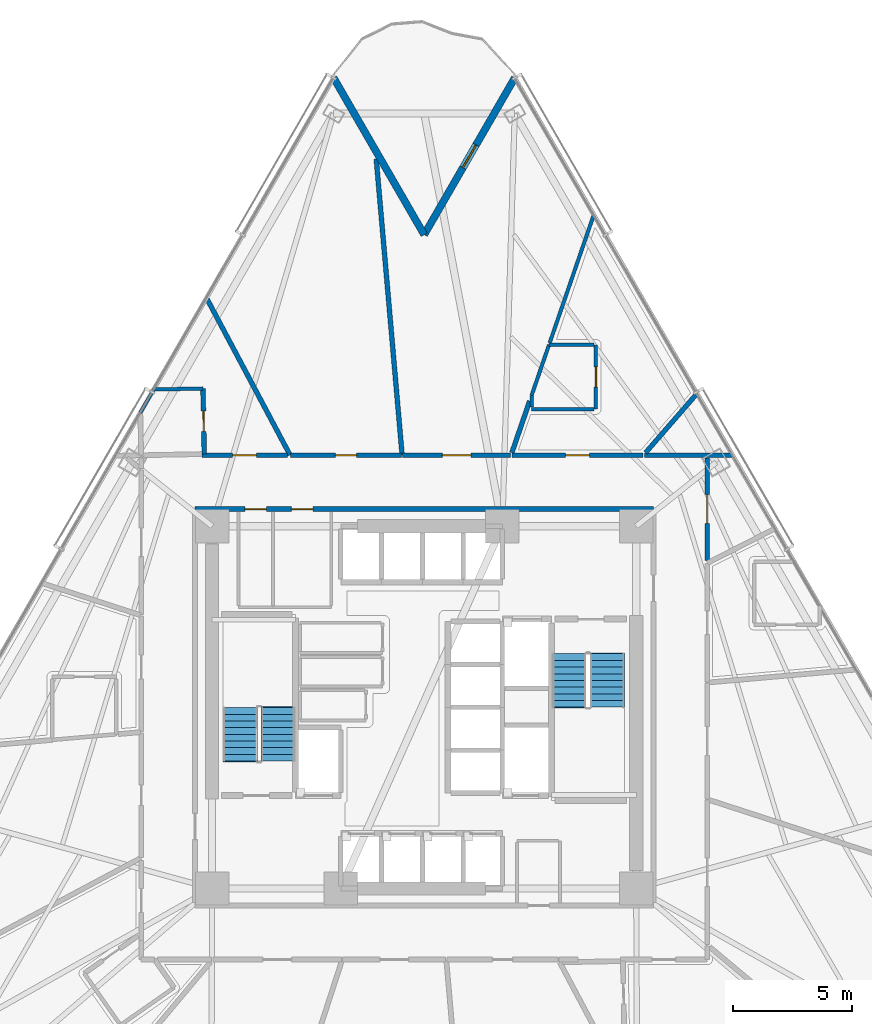
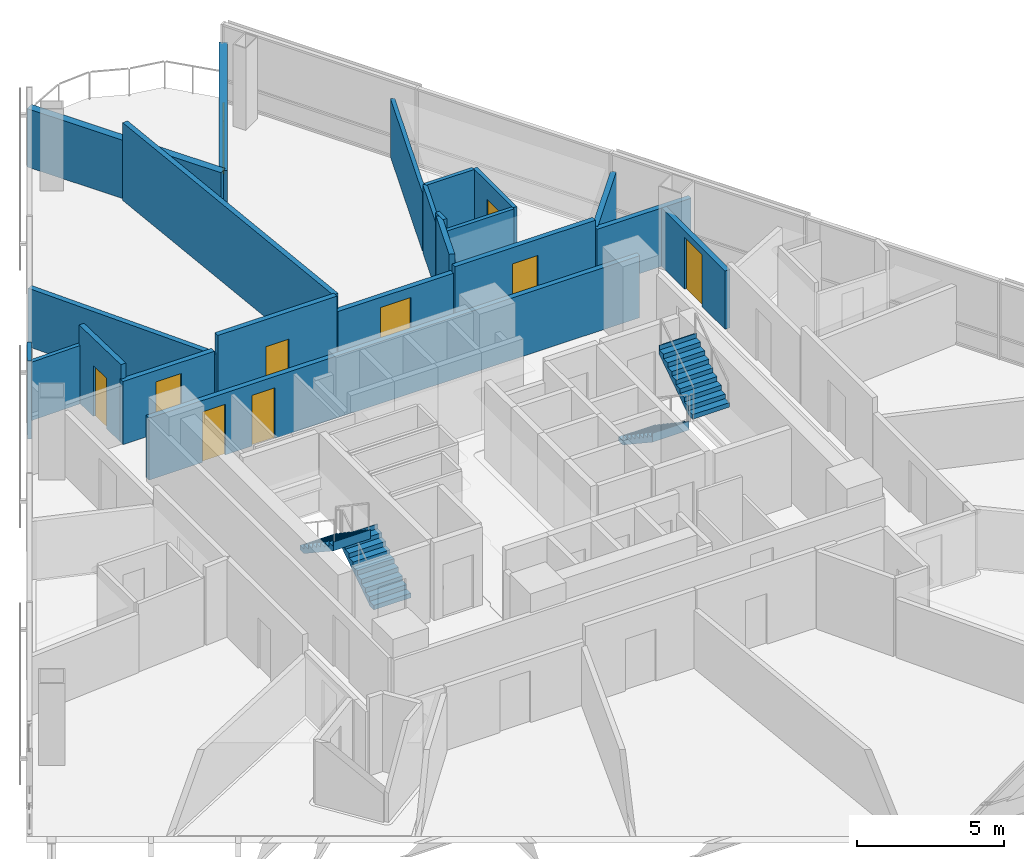
# One storey, part 10 of 18: 22 walls, 10 doors, 4 stair flights, 10 openings, 2 elements without a shape of their own.
"""IFC4 building model written with IfcOpenShell, lengths in metres."""

from ifc_helpers import new_model, si_unit, direction, frame, frame_2d, origin, place, context, subcontext, project, spatial, polyline, rectangle, outline, extrude, material, layer, layer_set, type_object, element, fill, aggregate, save


model = new_model("IFC4")

# Units and contexts
model_context = context("Model", 3, precision=1e-05, world=origin(), true_north=direction((0.0, 1.0)))
body_context = subcontext(model_context, "Body", "Model", "MODEL_VIEW")
ifc_project = project(units=[si_unit("LENGTHUNIT", "METRE"), si_unit("AREAUNIT", "SQUARE_METRE"), si_unit("VOLUMEUNIT", "CUBIC_METRE"), si_unit("PLANEANGLEUNIT", "RADIAN"), si_unit("MASSUNIT", "GRAM", prefix="KILO")], contexts=[model_context])

# Site, building, storey
site_placement = place(None, origin())
site = spatial("IfcSite", under=ifc_project, at=site_placement, CompositionType="ELEMENT")
building_placement = place(site_placement, origin())
building = spatial("IfcBuilding", under=site, at=building_placement, Name="Tharavind Bronze Gate", CompositionType="ELEMENT")
storey_placement = place(building_placement, frame((0.0, 0.0, 38.64990234375)))
storey = spatial("IfcBuildingStorey", under=building, at=storey_placement, Name="L08", CompositionType="ELEMENT", Elevation=38.64990234375)

# Wall, opening, door
ifc_material_1 = material(Name="Concrete C40/50", Category="concrete")
ifc_layer_1 = layer(ifc_material_1, 0.300048828125)
ifc_layer_set_1 = layer_set([ifc_layer_1], Name="Concrete C40/50")
wall_type_1 = type_object("IfcWallType", Name="EXTERIOR SPANDREL WALL 300", PredefinedType="STANDARD", material=ifc_layer_set_1)
wall_1_placement = place(storey_placement, frame((3.800048828125, 26.418212890625, 0.0), z_axis=(0.0, 0.0, 1.0), x_axis=(-0.500005158081, -0.866022425744, 0.0)))
wall_1 = element("IfcWall", 1, at=wall_1_placement, inside=storey, type_object=wall_type_1, Name="L08 notch cheek wall 1A", PredefinedType="STANDARD", context=body_context, shape_type="SweptSolid", body=[
    extrude(rectangle(XDim=7.60009765625, YDim=0.300048828125, at=frame_2d((3.800048828125, 0.0))), origin(), (0.0, 0.0, 1.0), 2.420166015625),
])
opening_1_placement = place(wall_1_placement, frame((3.25, 0.0, 0.0)))
opening_1 = element("IfcOpeningElement", 2, at=opening_1_placement, cuts=wall_1, Name="Opening ED04", PredefinedType="OPENING", context=body_context, shape_type="SweptSolid", body=[
    extrude(rectangle(XDim=1.10009765625, YDim=2.199951171875, at=frame_2d((0.550048828125, 1.10009765625))), frame((0.0, 0.15990234375, 0.0), z_axis=(0.0, -1.0, 0.0), x_axis=(1.0, 0.0, 0.0)), (0.0, 0.0, 1.0), 0.320048828125),
])
ifc_material_2 = material(Name="Bronze Aluminium & Toughened Glass", Category="aluminium")
door_type_1 = type_object("IfcDoorType", Name="TREE BALCONY ACCESS DOOR 1100X2200", OperationType="SINGLE_SWING_LEFT", PredefinedType="DOOR", material=ifc_material_2)
door_1_placement = place(opening_1_placement, origin())
door_1 = element("IfcDoor", 3, at=door_1_placement, inside=storey, type_object=door_type_1, Name="L08 tree balcony access door", OperationType="SINGLE_SWING_LEFT", OverallHeight=2.199951171875, OverallWidth=1.10009765625, PredefinedType="DOOR", context=body_context, shape_type="SweptSolid", body=[
    extrude(rectangle(XDim=1.10009765625, YDim=2.199951171875, at=frame_2d((0.550048828125, 1.10009765625))), frame((0.0, 0.02490234375, 0.0), z_axis=(0.0, -1.0, 0.0), x_axis=(1.0, 0.0, 0.0)), (0.0, 0.0, 1.0), 0.050048828125),
])
fill(opening_1, door_1)

# Wall
wall_2_placement = place(storey_placement, frame((0.0, 19.83642578125, 0.0), z_axis=(0.0, 0.0, 1.0), x_axis=(-0.500005158081, 0.866022425744, 0.0)))
element("IfcWall", 4, at=wall_2_placement, inside=storey, type_object=wall_type_1, Name="L08 notch cheek wall 1B", PredefinedType="STANDARD", context=body_context, shape_type="SweptSolid", body=[
    extrude(rectangle(XDim=7.60009765625, YDim=0.300048828125, at=frame_2d((3.800048828125, 0.0))), origin(), (0.0, 0.0, 1.0), 2.420166015625),
])

# Wall, openings, doors
ifc_material_3 = material(Name="Aerated Concrete Block", Category="concrete")
ifc_layer_2 = layer(ifc_material_3, 0.199951171875)
ifc_layer_set_2 = layer_set([ifc_layer_2], Name="Aerated Concrete Block")
wall_type_2 = type_object("IfcWallType", Name="FIRE RATED PARTITION 200", PredefinedType="PARTITIONING", material=ifc_layer_set_2)
wall_3_placement = place(storey_placement, frame((9.6201171875, 8.320068359375, 0.0), z_axis=(0.0, 0.0, 1.0), x_axis=(-1.0, 0.0, 0.0)))
wall_3 = element("IfcWall", 5, at=wall_3_placement, inside=storey, type_object=wall_type_2, Name="L08 north core corridor wall", PredefinedType="PARTITIONING", context=body_context, shape_type="SweptSolid", body=[
    extrude(rectangle(XDim=19.240234375, YDim=0.199951171875, at=frame_2d((9.6201171875, 0.0))), origin(), (0.0, 0.0, 1.0), 2.570068359375),
])
opening_2_placement = place(wall_3_placement, frame((16.2451171875, 0.0, 0.0)))
opening_2 = element("IfcOpeningElement", 6, at=opening_2_placement, cuts=wall_3, Name="Opening ID07", PredefinedType="OPENING", context=body_context, shape_type="SweptSolid", body=[
    extrude(rectangle(XDim=0.89990234375, YDim=2.10009765625, at=frame_2d((0.449951171875, 1.050048828125))), frame((0.0, 0.11009765625, 0.0), z_axis=(0.0, -1.0, 0.0), x_axis=(1.0, 0.0, 0.0)), (0.0, 0.0, 1.0), 0.219951171875),
])
opening_3_placement = place(wall_3_placement, frame((14.294921875, 0.0, 0.0)))
opening_3 = element("IfcOpeningElement", 7, at=opening_3_placement, cuts=wall_3, Name="Opening ID07", PredefinedType="OPENING", context=body_context, shape_type="SweptSolid", body=[
    extrude(rectangle(XDim=0.89990234375, YDim=2.10009765625, at=frame_2d((0.449951171875, 1.050048828125))), frame((0.0, 0.11009765625, 0.0), z_axis=(0.0, -1.0, 0.0), x_axis=(1.0, 0.0, 0.0)), (0.0, 0.0, 1.0), 0.219951171875),
])
ifc_material_4 = material(Name="Galvanised Fire Steel", Category="steel")
door_type_2 = type_object("IfcDoorType", Name="PLANT AND RISER FIRE DOOR 900X2100", OperationType="SINGLE_SWING_LEFT", PredefinedType="DOOR", material=ifc_material_4)
door_2_placement = place(opening_2_placement, frame((0.89990234375, 0.0, 0.0), z_axis=(0.0, 0.0, 1.0), x_axis=(-1.0, 0.0, 0.0)))
door_2 = element("IfcDoor", 8, at=door_2_placement, inside=storey, type_object=door_type_2, Name="L08 Battery Backup Cupboard fire door", OperationType="SINGLE_SWING_LEFT", OverallHeight=2.10009765625, OverallWidth=0.89990234375, PredefinedType="DOOR", context=body_context, shape_type="SweptSolid", body=[
    extrude(rectangle(XDim=0.89990234375, YDim=2.10009765625, at=frame_2d((0.449951171875, 1.050048828125))), frame((0.0, 0.02490234375, 0.0), z_axis=(0.0, -1.0, 0.0), x_axis=(1.0, 0.0, 0.0)), (0.0, 0.0, 1.0), 0.050048828125),
])
fill(opening_2, door_2)
door_3_placement = place(opening_3_placement, frame((0.89990234375, 0.0, 0.0), z_axis=(0.0, 0.0, 1.0), x_axis=(-1.0, 0.0, 0.0)))
door_3 = element("IfcDoor", 9, at=door_3_placement, inside=storey, type_object=door_type_2, Name="L08 Cleaner Store Room fire door", OperationType="SINGLE_SWING_LEFT", OverallHeight=2.10009765625, OverallWidth=0.89990234375, PredefinedType="DOOR", context=body_context, shape_type="SweptSolid", body=[
    extrude(rectangle(XDim=0.89990234375, YDim=2.10009765625, at=frame_2d((0.449951171875, 1.050048828125))), frame((0.0, 0.02490234375, 0.0), z_axis=(0.0, -1.0, 0.0), x_axis=(1.0, 0.0, 0.0)), (0.0, 0.0, 1.0), 0.050048828125),
])
fill(opening_3, door_3)

# Wall, opening, door
wall_4_placement = place(storey_placement, frame((-9.28369140625, 13.380859375, 0.0), z_axis=(0.0, 0.0, 1.0), x_axis=(0.019353504647, -0.999812703389, 0.0)))
wall_4 = element("IfcWall", 10, at=wall_4_placement, inside=storey, type_object=wall_type_2, Name="L08 En-Suite Bathroom partition", PredefinedType="PARTITIONING", context=body_context, shape_type="SweptSolid", body=[
    extrude(rectangle(XDim=2.75, YDim=0.199951171875, at=frame_2d((1.375, 0.0))), origin(), (0.0, 0.0, 1.0), 3.22509765625),
])
opening_4_placement = place(wall_4_placement, frame((0.949951171875, 0.0, 0.0)))
opening_4 = element("IfcOpeningElement", 11, at=opening_4_placement, cuts=wall_4, Name="Opening ID06", PredefinedType="OPENING", context=body_context, shape_type="SweptSolid", body=[
    extrude(rectangle(XDim=0.85009765625, YDim=2.10009765625, at=frame_2d((0.425048828125, 1.050048828125))), frame((0.0, 0.11009765625, 0.0), z_axis=(0.0, -1.0, 0.0), x_axis=(1.0, 0.0, 0.0)), (0.0, 0.0, 1.0), 0.219951171875),
])
ifc_material_5 = material(Name="Moisture-Resistant Timber", Category="wood")
door_type_3 = type_object("IfcDoorType", Name="BATHROOM PRIVACY DOOR 850X2100", OperationType="SINGLE_SWING_RIGHT", PredefinedType="DOOR", material=ifc_material_5)
door_4_placement = place(opening_4_placement, origin())
door_4 = element("IfcDoor", 12, at=door_4_placement, inside=storey, type_object=door_type_3, Name="L08 En-Suite Bathroom door", OperationType="SINGLE_SWING_RIGHT", OverallHeight=2.10009765625, OverallWidth=0.85009765625, PredefinedType="DOOR", context=body_context, shape_type="SweptSolid", body=[
    extrude(rectangle(XDim=0.85009765625, YDim=2.10009765625, at=frame_2d((0.425048828125, 1.050048828125))), frame((0.0, 0.02490234375, 0.0), z_axis=(0.0, -1.0, 0.0), x_axis=(1.0, 0.0, 0.0)), (0.0, 0.0, 1.0), 0.050048828125),
])
fill(opening_4, door_4)

# Walls
wall_5_placement = place(storey_placement, frame((12.944091796875, 10.580078125, 0.0), z_axis=(0.0, 0.0, 1.0), x_axis=(-1.0, 0.0, 0.0)))
element("IfcWall", 13, at=wall_5_placement, inside=storey, type_object=wall_type_2, Name="L08 Hotel Guest Lounge partition", PredefinedType="PARTITIONING", context=body_context, shape_type="SweptSolid", body=[
    extrude(rectangle(XDim=3.692138671875, YDim=0.199951171875, at=frame_2d((1.84619140625, 0.0))), origin(), (0.0, 0.0, 1.0), 2.420166015625),
])
wall_6_placement = place(storey_placement, frame((9.288330078125, 10.68505859375, 0.0), z_axis=(0.0, 0.0, 1.0), x_axis=(0.656044714013, 0.754722023805, 0.0)))
element("IfcWall", 14, at=wall_6_placement, inside=storey, type_object=wall_type_2, Name="L08 Hotel Guest Lounge partition", PredefinedType="PARTITIONING", context=body_context, shape_type="SweptSolid", body=[
    extrude(rectangle(XDim=3.29296875, YDim=0.199951171875, at=frame_2d((1.646484375, 0.0))), origin(), (0.0, 0.0, 1.0), 2.420166015625),
])

# Wall, opening, door
wall_7_placement = place(storey_placement, frame((11.8798828125, 6.1708984375, 0.0), z_axis=(0.0, 0.0, 1.0), x_axis=(0.0, 1.0, 0.0)))
wall_7 = element("IfcWall", 15, at=wall_7_placement, inside=storey, type_object=wall_type_2, Name="L08 Hotel Guest Lounge partition", PredefinedType="PARTITIONING", context=body_context, shape_type="SweptSolid", body=[
    extrude(rectangle(XDim=4.30419921875, YDim=0.199951171875, at=frame_2d((2.152099609375, 0.0))), origin(), (0.0, 0.0, 1.0), 2.420166015625),
])
opening_5_placement = place(wall_7_placement, frame((1.552001953125, 0.0, 0.0)))
opening_5 = element("IfcOpeningElement", 16, at=opening_5_placement, cuts=wall_7, Name="Opening ID05", PredefinedType="OPENING", context=body_context, shape_type="SweptSolid", body=[
    extrude(rectangle(XDim=1.199951171875, YDim=2.14990234375, at=frame_2d((0.60009765625, 1.074951171875))), frame((0.0, 0.11009765625, 0.0), z_axis=(0.0, -1.0, 0.0), x_axis=(1.0, 0.0, 0.0)), (0.0, 0.0, 1.0), 0.219951171875),
])
ifc_material_6 = material(Name="Acoustic Laminated Glass", Category="glass")
door_type_4 = type_object("IfcDoorType", Name="MEETING ROOM GLAZED DOOR 1200X2150", OperationType="SINGLE_SWING_LEFT", PredefinedType="DOOR", material=ifc_material_6)
door_5_placement = place(opening_5_placement, origin())
door_5 = element("IfcDoor", 17, at=door_5_placement, inside=storey, type_object=door_type_4, Name="L08 Hotel Guest Lounge door", OperationType="SINGLE_SWING_LEFT", OverallHeight=2.14990234375, OverallWidth=1.199951171875, PredefinedType="DOOR", context=body_context, shape_type="SweptSolid", body=[
    extrude(rectangle(XDim=1.199951171875, YDim=2.14990234375, at=frame_2d((0.60009765625, 1.074951171875))), frame((0.0, 0.02490234375, 0.0), z_axis=(0.0, -1.0, 0.0), x_axis=(1.0, 0.0, 0.0)), (0.0, 0.0, 1.0), 0.050048828125),
])
fill(opening_5, door_5)

wall_8_placement = place(storey_placement, frame((9.185791015625, 10.580078125, 0.0), z_axis=(0.0, 0.0, 1.0), x_axis=(-1.0, 0.0, 0.0)))
wall_8 = element("IfcWall", 18, at=wall_8_placement, inside=storey, type_object=wall_type_2, Name="L08 Hotel Deluxe Room partition", PredefinedType="PARTITIONING", context=body_context, shape_type="SweptSolid", body=[
    extrude(rectangle(XDim=5.5078125, YDim=0.199951171875, at=frame_2d((2.75390625, 0.0))), origin(), (0.0, 0.0, 1.0), 2.820068359375),
])
opening_6_placement = place(wall_8_placement, frame((2.25390625, 0.0, 0.0)))
opening_6 = element("IfcOpeningElement", 19, at=opening_6_placement, cuts=wall_8, Name="Opening ID03", PredefinedType="OPENING", context=body_context, shape_type="SweptSolid", body=[
    extrude(rectangle(XDim=1.0, YDim=2.14990234375, at=frame_2d((0.5, 1.074951171875))), frame((0.0, 0.11009765625, 0.0), z_axis=(0.0, -1.0, 0.0), x_axis=(1.0, 0.0, 0.0)), (0.0, 0.0, 1.0), 0.219951171875),
])
ifc_material_7 = material(Name="Solid Timber Veneer", Category="wood")
door_type_5 = type_object("IfcDoorType", Name="HOTEL SUITE ENTRANCE DOOR 1000X2150", OperationType="SINGLE_SWING_LEFT", PredefinedType="DOOR", material=ifc_material_7)
door_6_placement = place(opening_6_placement, origin())
door_6 = element("IfcDoor", 20, at=door_6_placement, inside=storey, type_object=door_type_5, Name="L08 Hotel Deluxe Room door", OperationType="SINGLE_SWING_LEFT", OverallHeight=2.14990234375, OverallWidth=1.0, PredefinedType="DOOR", context=body_context, shape_type="SweptSolid", body=[
    extrude(rectangle(XDim=1.0, YDim=2.14990234375, at=frame_2d((0.5, 1.074951171875))), frame((0.0, 0.02490234375, 0.0), z_axis=(0.0, -1.0, 0.0), x_axis=(1.0, 0.0, 0.0)), (0.0, 0.0, 1.0), 0.050048828125),
])
fill(opening_6, door_6)

# Wall
wall_9_placement = place(storey_placement, frame((3.67919921875, 10.68505859375, 0.0), z_axis=(0.0, 0.0, 1.0), x_axis=(0.325506719361, 0.945539727167, 0.0)))
element("IfcWall", 21, at=wall_9_placement, inside=storey, type_object=wall_type_2, Name="L08 Hotel Deluxe Room partition", PredefinedType="PARTITIONING", context=body_context, shape_type="SweptSolid", body=[
    extrude(rectangle(XDim=2.301025390625, YDim=0.199951171875, at=frame_2d((1.150390625, 0.0))), origin(), (0.0, 0.0, 1.0), 3.22509765625),
])

# Wall, opening, door
wall_10_placement = place(storey_placement, frame((3.625244140625, 10.580078125, 0.0), z_axis=(0.0, 0.0, 1.0), x_axis=(-1.0, 0.0, 0.0)))
wall_10 = element("IfcWall", 22, at=wall_10_placement, inside=storey, type_object=wall_type_2, Name="L08 Hotel Guest Lounge partition", PredefinedType="PARTITIONING", context=body_context, shape_type="SweptSolid", body=[
    extrude(rectangle(XDim=4.52783203125, YDim=0.199951171875, at=frame_2d((2.263916015625, 0.0))), origin(), (0.0, 0.0, 1.0), 2.570068359375),
])
opening_7_placement = place(wall_10_placement, frame((1.6640625, 0.0, 0.0)))
opening_7 = element("IfcOpeningElement", 23, at=opening_7_placement, cuts=wall_10, Name="Opening ID05", PredefinedType="OPENING", context=body_context, shape_type="SweptSolid", body=[
    extrude(rectangle(XDim=1.199951171875, YDim=2.14990234375, at=frame_2d((0.60009765625, 1.074951171875))), frame((0.0, 0.11009765625, 0.0), z_axis=(0.0, -1.0, 0.0), x_axis=(1.0, 0.0, 0.0)), (0.0, 0.0, 1.0), 0.219951171875),
])
door_7_placement = place(opening_7_placement, origin())
door_7 = element("IfcDoor", 24, at=door_7_placement, inside=storey, type_object=door_type_4, Name="L08 Hotel Guest Lounge door", OperationType="SINGLE_SWING_LEFT", OverallHeight=2.14990234375, OverallWidth=1.199951171875, PredefinedType="DOOR", context=body_context, shape_type="SweptSolid", body=[
    extrude(rectangle(XDim=1.199951171875, YDim=2.14990234375, at=frame_2d((0.60009765625, 1.074951171875))), frame((0.0, 0.02490234375, 0.0), z_axis=(0.0, -1.0, 0.0), x_axis=(1.0, 0.0, 0.0)), (0.0, 0.0, 1.0), 0.050048828125),
])
fill(opening_7, door_7)

# Wall
wall_11_placement = place(storey_placement, frame((-0.927490234375, 10.602783203125, 0.0), z_axis=(0.0, 0.0, 1.0), x_axis=(-0.08716403318, 0.996193972738, 0.0)))
element("IfcWall", 25, at=wall_11_placement, inside=storey, type_object=wall_type_2, Name="L08 Hotel Guest Lounge partition", PredefinedType="PARTITIONING", context=body_context, shape_type="SweptSolid", body=[
    extrude(rectangle(XDim=12.45849609375, YDim=0.199951171875, at=frame_2d((6.229248046875, 0.0))), origin(), (0.0, 0.0, 1.0), 3.22509765625),
])

# Wall, opening, door
wall_12_placement = place(storey_placement, frame((-0.952880859375, 10.580078125, 0.0), z_axis=(0.0, 0.0, 1.0), x_axis=(-1.0, 0.0, 0.0)))
wall_12 = element("IfcWall", 26, at=wall_12_placement, inside=storey, type_object=wall_type_2, Name="L08 Housekeeping & Linen Room partition", PredefinedType="PARTITIONING", context=body_context, shape_type="SweptSolid", body=[
    extrude(rectangle(XDim=4.65771484375, YDim=0.199951171875, at=frame_2d((2.328857421875, 0.0))), origin(), (0.0, 0.0, 1.0), 3.22509765625),
])
opening_8_placement = place(wall_12_placement, frame((1.87890625, 0.0, 0.0)))
opening_8 = element("IfcOpeningElement", 27, at=opening_8_placement, cuts=wall_12, Name="Opening ID07", PredefinedType="OPENING", context=body_context, shape_type="SweptSolid", body=[
    extrude(rectangle(XDim=0.89990234375, YDim=2.10009765625, at=frame_2d((0.449951171875, 1.050048828125))), frame((0.0, 0.11009765625, 0.0), z_axis=(0.0, -1.0, 0.0), x_axis=(1.0, 0.0, 0.0)), (0.0, 0.0, 1.0), 0.219951171875),
])
door_8_placement = place(opening_8_placement, origin())
door_8 = element("IfcDoor", 28, at=door_8_placement, inside=storey, type_object=door_type_2, Name="L08 Housekeeping & Linen Room door", OperationType="SINGLE_SWING_LEFT", OverallHeight=2.10009765625, OverallWidth=0.89990234375, PredefinedType="DOOR", context=body_context, shape_type="SweptSolid", body=[
    extrude(rectangle(XDim=0.89990234375, YDim=2.10009765625, at=frame_2d((0.449951171875, 1.050048828125))), frame((0.0, 0.02490234375, 0.0), z_axis=(0.0, -1.0, 0.0), x_axis=(1.0, 0.0, 0.0)), (0.0, 0.0, 1.0), 0.050048828125),
])
fill(opening_8, door_8)

# Wall
wall_13_placement = place(storey_placement, frame((-5.632568359375, 10.59326171875, 0.0), z_axis=(0.0, 0.0, 1.0), x_axis=(-0.469464495308, 0.882951350668, 0.0)))
element("IfcWall", 29, at=wall_13_placement, inside=storey, type_object=wall_type_2, Name="L08 Housekeeping & Linen Room partition", PredefinedType="PARTITIONING", context=body_context, shape_type="SweptSolid", body=[
    extrude(rectangle(XDim=7.44482421875, YDim=0.199951171875, at=frame_2d((3.722412109375, 0.0))), origin(), (0.0, 0.0, 1.0), 2.420166015625),
])

# Wall, opening, door
wall_14_placement = place(storey_placement, frame((-5.744384765625, 10.580078125, 0.0), z_axis=(0.0, 0.0, 1.0), x_axis=(-1.0, 0.0, 0.0)))
wall_14 = element("IfcWall", 30, at=wall_14_placement, inside=storey, type_object=wall_type_2, Name="L08 Hotel Guest Room partition", PredefinedType="PARTITIONING", context=body_context, shape_type="SweptSolid", body=[
    extrude(rectangle(XDim=3.590087890625, YDim=0.199951171875, at=frame_2d((1.794921875, 0.0))), origin(), (0.0, 0.0, 1.0), 2.6201171875),
])
opening_9_placement = place(wall_14_placement, frame((1.294921875, 0.0, 0.0)))
opening_9 = element("IfcOpeningElement", 31, at=opening_9_placement, cuts=wall_14, Name="Opening ID03", PredefinedType="OPENING", context=body_context, shape_type="SweptSolid", body=[
    extrude(rectangle(XDim=1.0, YDim=2.14990234375, at=frame_2d((0.5, 1.074951171875))), frame((0.0, 0.11009765625, 0.0), z_axis=(0.0, -1.0, 0.0), x_axis=(1.0, 0.0, 0.0)), (0.0, 0.0, 1.0), 0.219951171875),
])
door_9_placement = place(opening_9_placement, origin())
door_9 = element("IfcDoor", 32, at=door_9_placement, inside=storey, type_object=door_type_5, Name="L08 Hotel Guest Room door", OperationType="SINGLE_SWING_LEFT", OverallHeight=2.14990234375, OverallWidth=1.0, PredefinedType="DOOR", context=body_context, shape_type="SweptSolid", body=[
    extrude(rectangle(XDim=1.0, YDim=2.14990234375, at=frame_2d((0.5, 1.074951171875))), frame((0.0, 0.02490234375, 0.0), z_axis=(0.0, -1.0, 0.0), x_axis=(1.0, 0.0, 0.0)), (0.0, 0.0, 1.0), 0.050048828125),
])
fill(opening_9, door_9)

ifc_material_8 = material(Name="Twin Stud Acoustic Gypsum", Category="gypsum")
ifc_layer_3 = layer(ifc_material_8, 0.14990234375)
ifc_layer_set_3 = layer_set([ifc_layer_3], Name="Twin Stud Acoustic Gypsum")
wall_type_3 = type_object("IfcWallType", Name="INTERIOR PARTITION WALL 150", PredefinedType="PARTITIONING", material=ifc_layer_set_3)
wall_15_placement = place(storey_placement, frame((7.208251953125, 15.217041015625, 0.0), z_axis=(0.0, 0.0, 1.0), x_axis=(0.0, -1.0, 0.0)))
wall_15 = element("IfcWall", 33, at=wall_15_placement, inside=storey, type_object=wall_type_3, Name="L08 En-Suite Bathroom partition", PredefinedType="PARTITIONING", context=body_context, shape_type="SweptSolid", body=[
    extrude(rectangle(XDim=2.699951171875, YDim=0.14990234375, at=frame_2d((1.35009765625, 0.0))), origin(), (0.0, 0.0, 1.0), 2.820068359375),
])
opening_10_placement = place(wall_15_placement, frame((0.925048828125, 0.0, 0.0)))
opening_10 = element("IfcOpeningElement", 34, at=opening_10_placement, cuts=wall_15, Name="Opening ID06", PredefinedType="OPENING", context=body_context, shape_type="SweptSolid", body=[
    extrude(rectangle(XDim=0.85009765625, YDim=2.10009765625, at=frame_2d((0.425048828125, 1.050048828125))), frame((0.0, 0.084951171875, 0.0), z_axis=(0.0, -1.0, 0.0), x_axis=(1.0, 0.0, 0.0)), (0.0, 0.0, 1.0), 0.16990234375),
])
door_10_placement = place(opening_10_placement, origin())
door_10 = element("IfcDoor", 35, at=door_10_placement, inside=storey, type_object=door_type_3, Name="L08 En-Suite Bathroom door", OperationType="SINGLE_SWING_RIGHT", OverallHeight=2.10009765625, OverallWidth=0.85009765625, PredefinedType="DOOR", context=body_context, shape_type="SweptSolid", body=[
    extrude(rectangle(XDim=0.85009765625, YDim=2.10009765625, at=frame_2d((0.425048828125, 1.050048828125))), frame((0.0, 0.02490234375, 0.0), z_axis=(0.0, -1.0, 0.0), x_axis=(1.0, 0.0, 0.0)), (0.0, 0.0, 1.0), 0.050048828125),
])
fill(opening_10, door_10)

# Walls
wall_16_placement = place(storey_placement, frame((7.12841796875, 12.51708984375, 0.0), z_axis=(0.0, 0.0, 1.0), x_axis=(-1.0, 0.0, 0.0)))
element("IfcWall", 36, at=wall_16_placement, inside=storey, type_object=wall_type_3, Name="L08 En-Suite Bathroom partition", PredefinedType="PARTITIONING", context=body_context, shape_type="SweptSolid", body=[
    extrude(rectangle(XDim=2.6201171875, YDim=0.14990234375, at=frame_2d((1.31005859375, 0.0))), origin(), (0.0, 0.0, 1.0), 2.820068359375),
])
wall_17_placement = place(storey_placement, frame((4.50830078125, 12.59716796875, 0.0), z_axis=(0.0, 0.0, 1.0), x_axis=(0.0, 1.0, 0.0)))
element("IfcWall", 37, at=wall_17_placement, inside=storey, type_object=wall_type_3, Name="L08 En-Suite Bathroom partition", PredefinedType="PARTITIONING", context=body_context, shape_type="SweptSolid", body=[
    extrude(rectangle(XDim=0.49609375, YDim=0.14990234375, at=frame_2d((0.248046875, 0.0))), origin(), (0.0, 0.0, 1.0), 3.22509765625),
])
wall_18_placement = place(storey_placement, frame((4.50830078125, 13.09326171875, 0.0), z_axis=(0.0, 0.0, 1.0), x_axis=(0.325635598236, 0.945495350153, 0.0)))
element("IfcWall", 38, at=wall_18_placement, inside=storey, type_object=wall_type_3, Name="L08 En-Suite Bathroom partition", PredefinedType="PARTITIONING", context=body_context, shape_type="SweptSolid", body=[
    extrude(rectangle(XDim=2.24609375, YDim=0.14990234375, at=frame_2d((1.123046875, 0.0))), origin(), (0.0, 0.0, 1.0), 2.820068359375),
])
wall_19_placement = place(storey_placement, frame((5.23974609375, 15.217041015625, 0.0), z_axis=(0.0, 0.0, 1.0), x_axis=(1.0, 0.0, 0.0)))
element("IfcWall", 39, at=wall_19_placement, inside=storey, type_object=wall_type_3, Name="L08 En-Suite Bathroom partition", PredefinedType="PARTITIONING", context=body_context, shape_type="SweptSolid", body=[
    extrude(rectangle(XDim=1.888671875, YDim=0.14990234375, at=frame_2d((0.9443359375, 0.0))), origin(), (0.0, 0.0, 1.0), 2.820068359375),
])
wall_20_placement = place(storey_placement, frame((-11.91455078125, 12.36328125, 0.0), z_axis=(0.0, 0.0, 1.0), x_axis=(0.499884734746, 0.866091941983, 0.0)))
element("IfcWall", 40, at=wall_20_placement, inside=storey, type_object=wall_type_3, Name="L08 En-Suite Bathroom partition", PredefinedType="PARTITIONING", context=body_context, shape_type="SweptSolid", body=[
    extrude(rectangle(XDim=1.128662109375, YDim=0.14990234375, at=frame_2d((0.564453125, 0.0))), origin(), (0.0, 0.0, 1.0), 3.22509765625),
])
wall_21_placement = place(storey_placement, frame((-11.350341796875, 13.3408203125, 0.0), z_axis=(0.0, 0.0, 1.0), x_axis=(0.99981237896, 0.019370257549, 0.0)))
element("IfcWall", 41, at=wall_21_placement, inside=storey, type_object=wall_type_3, Name="L08 En-Suite Bathroom partition", PredefinedType="PARTITIONING", context=body_context, shape_type="SweptSolid", body=[
    extrude(rectangle(XDim=2.067138671875, YDim=0.14990234375, at=frame_2d((1.03369140625, 0.0))), origin(), (0.0, 0.0, 1.0), 2.420166015625),
])
wall_22_placement = place(storey_placement, frame((5.26708984375, 15.297119140625, 0.0), z_axis=(0.0, 0.0, 1.0), x_axis=(0.325605473746, 0.945505724714, 0.0)))
element("IfcWall", 42, at=wall_22_placement, inside=storey, type_object=wall_type_3, Name="L08 Hotel Deluxe Room partition", PredefinedType="PARTITIONING", context=body_context, shape_type="SweptSolid", body=[
    extrude(rectangle(XDim=5.684326171875, YDim=0.14990234375, at=frame_2d((2.84228515625, 0.0))), origin(), (0.0, 0.0, 1.0), 2.420166015625),
])

# Stair, stair flights
stair_type = type_object("IfcStairType", Name="CORE HALF TURN STAIR 1450", PredefinedType="HALF_TURN_STAIR", material=ifc_material_1)
stair_1_placement = place(storey_placement, origin())
stair_1 = element("IfcStair", 43, at=stair_1_placement, inside=storey, type_object=stair_type, Name="L08 Protected Exit Stair ST1", PredefinedType="HALF_TURN_STAIR")
stair_flight_type = type_object("IfcStairFlightType", Name="CORE STAIR FLIGHT 1450", PredefinedType="STRAIGHT", material=ifc_material_1)
stair_flight_1_placement = place(storey_placement, frame((-6.125, -2.25, 0.0), z_axis=(0.0, 0.0, 1.0), x_axis=(0.0, 1.0, 0.0)))
stair_flight_1 = element("IfcStairFlight", 44, at=stair_flight_1_placement, type_object=stair_flight_type, Name="ST1 flight 1", NumberOfRisers=9, NumberOfTreads=8, PredefinedType="STRAIGHT", RiserHeight=0.188888889, TreadLength=0.28, context=body_context, shape_type="SweptSolid", body=[
    extrude(outline(polyline([(0.0, 0.0), (0.0, 0.18896484375), (0.280029296875, 0.18896484375), (0.280029296875, 0.377685546875), (0.56005859375, 0.377685546875), (0.56005859375, 0.566650390625), (0.840087890625, 0.566650390625), (0.840087890625, 0.755615234375), (1.1201171875, 0.755615234375), (1.1201171875, 0.9443359375), (1.39990234375, 0.9443359375), (1.39990234375, 1.13330078125), (1.679931640625, 1.13330078125), (1.679931640625, 1.322265625), (1.9599609375, 1.322265625), (1.9599609375, 1.51123046875), (2.239990234375, 1.51123046875), (2.239990234375, 1.699951171875), (2.27587890625, 1.699951171875), (2.27587890625, 1.330322265625), (0.26806640625, 0.0), (0.0, 0.0)])), frame((0.0, 0.72509765625, 0.0), z_axis=(0.0, -1.0, 0.0), x_axis=(1.0, 0.0, 0.0)), (0.0, 0.0, 1.0), 1.449951171875),
])
stair_flight_2_placement = place(storey_placement, frame((-7.72509765625, -0.010009765625, 1.7001953125), z_axis=(0.0, 0.0, 1.0), x_axis=(0.0, -1.0, 0.0)))
stair_flight_2 = element("IfcStairFlight", 45, at=stair_flight_2_placement, type_object=stair_flight_type, Name="ST1 flight 2", NumberOfRisers=9, NumberOfTreads=8, PredefinedType="STRAIGHT", RiserHeight=0.188888889, TreadLength=0.28, context=body_context, shape_type="SweptSolid", body=[
    extrude(outline(polyline([(0.0, 0.0), (0.0, 0.18896484375), (0.280029296875, 0.18896484375), (0.280029296875, 0.377685546875), (0.56005859375, 0.377685546875), (0.56005859375, 0.566650390625), (0.840087890625, 0.566650390625), (0.840087890625, 0.755615234375), (1.1201171875, 0.755615234375), (1.1201171875, 0.9443359375), (1.39990234375, 0.9443359375), (1.39990234375, 1.13330078125), (1.679931640625, 1.13330078125), (1.679931640625, 1.322265625), (1.9599609375, 1.322265625), (1.9599609375, 1.51123046875), (2.239990234375, 1.51123046875), (2.239990234375, 1.699951171875), (2.27587890625, 1.699951171875), (2.27587890625, 1.330322265625), (0.26806640625, 0.0), (0.0, 0.0)])), frame((0.0, 0.72509765625, 0.0), z_axis=(0.0, -1.0, 0.0), x_axis=(1.0, 0.0, 0.0)), (0.0, 0.0, 1.0), 1.449951171875),
])
aggregate(stair_1, [stair_flight_1, stair_flight_2])

stair_2_placement = place(storey_placement, origin())
stair_2 = element("IfcStair", 46, at=stair_2_placement, inside=storey, type_object=stair_type, Name="L08 Protected Exit Stair ST2", PredefinedType="HALF_TURN_STAIR")
stair_flight_3_placement = place(storey_placement, frame((6.074951171875, 2.25, 0.0), z_axis=(0.0, 0.0, 1.0), x_axis=(0.0, -1.0, 0.0)))
stair_flight_3 = element("IfcStairFlight", 47, at=stair_flight_3_placement, type_object=stair_flight_type, Name="ST2 flight 1", NumberOfRisers=9, NumberOfTreads=8, PredefinedType="STRAIGHT", RiserHeight=0.188888889, TreadLength=0.28, context=body_context, shape_type="SweptSolid", body=[
    extrude(outline(polyline([(0.0, 0.0), (0.0, 0.18896484375), (0.280029296875, 0.18896484375), (0.280029296875, 0.377685546875), (0.56005859375, 0.377685546875), (0.56005859375, 0.566650390625), (0.840087890625, 0.566650390625), (0.840087890625, 0.755615234375), (1.1201171875, 0.755615234375), (1.1201171875, 0.9443359375), (1.39990234375, 0.9443359375), (1.39990234375, 1.13330078125), (1.679931640625, 1.13330078125), (1.679931640625, 1.322265625), (1.9599609375, 1.322265625), (1.9599609375, 1.51123046875), (2.239990234375, 1.51123046875), (2.239990234375, 1.699951171875), (2.27587890625, 1.699951171875), (2.27587890625, 1.330322265625), (0.26806640625, 0.0), (0.0, 0.0)])), frame((0.0, 0.72509765625, 0.0), z_axis=(0.0, -1.0, 0.0), x_axis=(1.0, 0.0, 0.0)), (0.0, 0.0, 1.0), 1.449951171875),
])
stair_flight_4_placement = place(storey_placement, frame((7.675048828125, 0.010009765625, 1.7001953125), z_axis=(0.0, 0.0, 1.0), x_axis=(0.0, 1.0, 0.0)))
stair_flight_4 = element("IfcStairFlight", 48, at=stair_flight_4_placement, type_object=stair_flight_type, Name="ST2 flight 2", NumberOfRisers=9, NumberOfTreads=8, PredefinedType="STRAIGHT", RiserHeight=0.188888889, TreadLength=0.28, context=body_context, shape_type="SweptSolid", body=[
    extrude(outline(polyline([(0.0, 0.0), (0.0, 0.18896484375), (0.280029296875, 0.18896484375), (0.280029296875, 0.377685546875), (0.56005859375, 0.377685546875), (0.56005859375, 0.566650390625), (0.840087890625, 0.566650390625), (0.840087890625, 0.755615234375), (1.1201171875, 0.755615234375), (1.1201171875, 0.9443359375), (1.39990234375, 0.9443359375), (1.39990234375, 1.13330078125), (1.679931640625, 1.13330078125), (1.679931640625, 1.322265625), (1.9599609375, 1.322265625), (1.9599609375, 1.51123046875), (2.239990234375, 1.51123046875), (2.239990234375, 1.699951171875), (2.27587890625, 1.699951171875), (2.27587890625, 1.330322265625), (0.26806640625, 0.0), (0.0, 0.0)])), frame((0.0, 0.72509765625, 0.0), z_axis=(0.0, -1.0, 0.0), x_axis=(1.0, 0.0, 0.0)), (0.0, 0.0, 1.0), 1.449951171875),
])
aggregate(stair_2, [stair_flight_3, stair_flight_4])

save(model, "model.ifc")
